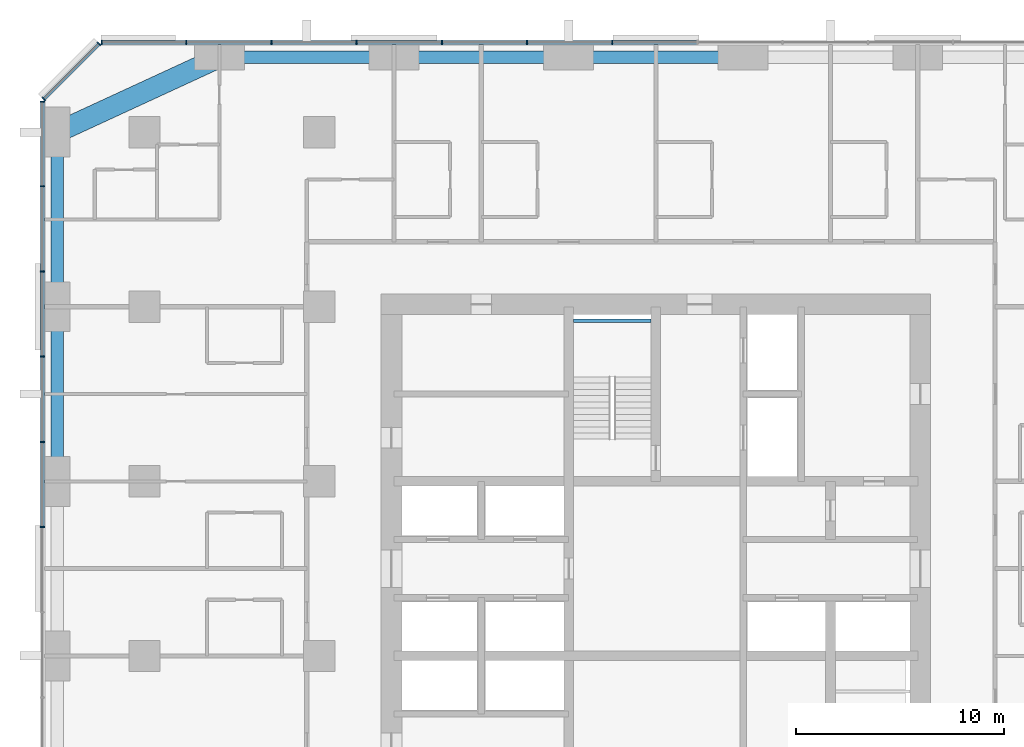
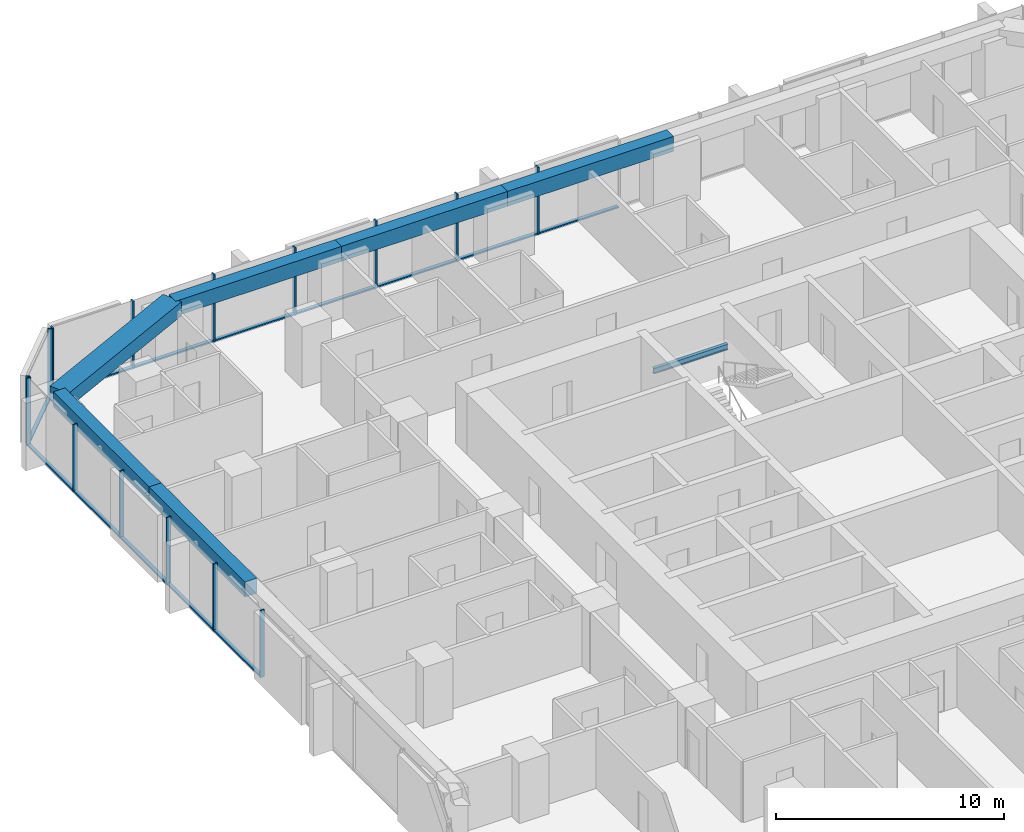
# One storey, part 5 of 14: 28 members, 7 beams, 3 elements without a shape of their own.
"""IFC4 building model written with IfcOpenShell, lengths in metres."""

from ifc_helpers import new_model, si_unit, direction, frame, origin, origin_2d, place, context, subcontext, project, spatial, rectangle, i_section, extrude, material, material_profile, profile_set, type_object, element, aggregate, save


model = new_model("IFC4")

# Units and contexts
model_context = context("Model", 3, precision=1e-05, world=origin(), true_north=direction((0.0, 1.0)))
body_context = subcontext(model_context, "Body", "Model", "MODEL_VIEW")
ifc_project = project(units=[si_unit("LENGTHUNIT", "METRE"), si_unit("AREAUNIT", "SQUARE_METRE"), si_unit("VOLUMEUNIT", "CUBIC_METRE"), si_unit("PLANEANGLEUNIT", "RADIAN"), si_unit("MASSUNIT", "GRAM", prefix="KILO")], contexts=[model_context])

# Site, building, storey
site_placement = place(None, origin())
site = spatial("IfcSite", under=ifc_project, at=site_placement, CompositionType="ELEMENT")
building_placement = place(site_placement, origin())
building = spatial("IfcBuilding", under=site, at=building_placement, Name="Dunama Terrace Hotel", CompositionType="ELEMENT")
storey_placement = place(building_placement, frame((0.0, 0.0, 140.39990234375)))
storey = spatial("IfcBuildingStorey", under=building, at=storey_placement, Name="L36", CompositionType="ELEMENT", Elevation=140.39990234375)

# Curtain wall, members
ifc_material_1 = material(Name="Aluminium curtain wall system", Category="aluminium")
curtain_wall_type = type_object("IfcCurtainWallType", Name="Unitised fritted glass wall CW-B", PredefinedType="NOTDEFINED", material=ifc_material_1)
curtain_wall_1_placement = place(storey_placement, origin())
curtain_wall_1 = element("IfcCurtainWall", 1, at=curtain_wall_1_placement, inside=storey, type_object=curtain_wall_type, Name="Unitised fritted glass wall CW-B L36", PredefinedType="NOTDEFINED")
ifc_material_2 = material(Name="Aluminium mullion", Category="aluminium")
ifc_material_profile_1 = material_profile(ifc_material_2, rectangle(XDim=0.06494140625, YDim=0.219970703125, at=origin_2d()), Name="CWB MULLION 65X220")
ifc_profile_set_1 = profile_set([ifc_material_profile_1], Name="Aluminium mullion")
member_type_1 = type_object("IfcMemberType", Name="CWB mullion 65x220", PredefinedType="MULLION", material=ifc_profile_set_1)
member_1_placement = place(storey_placement, frame((27.300048828125, 54.7099609375, 0.0), z_axis=(0.0, 0.0, 1.0), x_axis=(-1.0, 0.0, 0.0)))
member_1 = element("IfcMember", 2, at=member_1_placement, type_object=member_type_1, Name="CWB mullion", PredefinedType="MULLION", context=body_context, shape_type="SweptSolid", body=[
    extrude(rectangle(XDim=0.06494140625, YDim=0.219970703125, at=origin_2d()), origin(), (0.0, 0.0, 1.0), 3.60009765625),
])
member_2_placement = place(storey_placement, frame((23.199951171875, 54.7099609375, 0.0), z_axis=(0.0, 0.0, 1.0), x_axis=(-1.0, 0.0, 0.0)))
member_2 = element("IfcMember", 3, at=member_2_placement, type_object=member_type_1, Name="CWB mullion", PredefinedType="MULLION", context=body_context, shape_type="SweptSolid", body=[
    extrude(rectangle(XDim=0.06494140625, YDim=0.219970703125, at=origin_2d()), origin(), (0.0, 0.0, 1.0), 3.60009765625),
])
member_3_placement = place(storey_placement, frame((19.10009765625, 54.7099609375, 0.0), z_axis=(0.0, 0.0, 1.0), x_axis=(-1.0, 0.0, 0.0)))
member_3 = element("IfcMember", 4, at=member_3_placement, type_object=member_type_1, Name="CWB mullion", PredefinedType="MULLION", context=body_context, shape_type="SweptSolid", body=[
    extrude(rectangle(XDim=0.06494140625, YDim=0.219970703125, at=origin_2d()), origin(), (0.0, 0.0, 1.0), 3.60009765625),
])
member_4_placement = place(storey_placement, frame((15.0, 54.7099609375, 0.0), z_axis=(0.0, 0.0, 1.0), x_axis=(-1.0, 0.0, 0.0)))
member_4 = element("IfcMember", 5, at=member_4_placement, type_object=member_type_1, Name="CWB mullion", PredefinedType="MULLION", context=body_context, shape_type="SweptSolid", body=[
    extrude(rectangle(XDim=0.06494140625, YDim=0.219970703125, at=origin_2d()), origin(), (0.0, 0.0, 1.0), 3.60009765625),
])
member_5_placement = place(storey_placement, frame((10.89990234375, 54.7099609375, 0.0), z_axis=(0.0, 0.0, 1.0), x_axis=(-1.0, 0.0, 0.0)))
member_5 = element("IfcMember", 6, at=member_5_placement, type_object=member_type_1, Name="CWB mullion", PredefinedType="MULLION", context=body_context, shape_type="SweptSolid", body=[
    extrude(rectangle(XDim=0.06494140625, YDim=0.219970703125, at=origin_2d()), origin(), (0.0, 0.0, 1.0), 3.60009765625),
])
member_6_placement = place(storey_placement, frame((6.800048828125, 54.7099609375, 0.0), z_axis=(0.0, 0.0, 1.0), x_axis=(-1.0, 0.0, 0.0)))
member_6 = element("IfcMember", 7, at=member_6_placement, type_object=member_type_1, Name="CWB mullion", PredefinedType="MULLION", context=body_context, shape_type="SweptSolid", body=[
    extrude(rectangle(XDim=0.06494140625, YDim=0.219970703125, at=origin_2d()), origin(), (0.0, 0.0, 1.0), 3.60009765625),
])
member_7_placement = place(storey_placement, frame((2.73291015625, 54.7099609375, 0.0), z_axis=(0.0, 0.0, 1.0), x_axis=(-1.0, 0.0, 0.0)))
member_7 = element("IfcMember", 8, at=member_7_placement, type_object=member_type_1, Name="CWB mullion", PredefinedType="MULLION", context=body_context, shape_type="SweptSolid", body=[
    extrude(rectangle(XDim=0.06494140625, YDim=0.219970703125, at=origin_2d()), origin(), (0.0, 0.0, 1.0), 3.60009765625),
])

curtain_wall_2_placement = place(storey_placement, origin())
curtain_wall_2 = element("IfcCurtainWall", 9, at=curtain_wall_2_placement, inside=storey, type_object=curtain_wall_type, Name="Unitised fritted glass wall CW-B L36", PredefinedType="NOTDEFINED")
member_8_placement = place(storey_placement, frame((2.59912109375, 54.655029296875, 0.0), z_axis=(0.0, 0.0, 1.0), x_axis=(-0.707106781187, -0.707106781187, 0.0)))
member_8 = element("IfcMember", 10, at=member_8_placement, type_object=member_type_1, Name="CWB mullion", PredefinedType="MULLION", context=body_context, shape_type="SweptSolid", body=[
    extrude(rectangle(XDim=0.06494140625, YDim=0.219970703125, at=origin_2d()), origin(), (0.0, 0.0, 1.0), 3.60009765625),
])
member_9_placement = place(storey_placement, frame((-0.054931640625, 52.0009765625, 0.0), z_axis=(0.0, 0.0, 1.0), x_axis=(-0.707106781187, -0.707106781187, 0.0)))
member_9 = element("IfcMember", 11, at=member_9_placement, type_object=member_type_1, Name="CWB mullion", PredefinedType="MULLION", context=body_context, shape_type="SweptSolid", body=[
    extrude(rectangle(XDim=0.06494140625, YDim=0.219970703125, at=origin_2d()), origin(), (0.0, 0.0, 1.0), 3.60009765625),
])

curtain_wall_3_placement = place(storey_placement, origin())
curtain_wall_3 = element("IfcCurtainWall", 12, at=curtain_wall_3_placement, inside=storey, type_object=curtain_wall_type, Name="Unitised fritted glass wall CW-B L36", PredefinedType="NOTDEFINED")
member_10_placement = place(storey_placement, frame((-0.110107421875, 51.866943359375, 0.0), z_axis=(0.0, 0.0, 1.0), x_axis=(0.0, -1.0, 0.0)))
member_10 = element("IfcMember", 13, at=member_10_placement, type_object=member_type_1, Name="CWB mullion", PredefinedType="MULLION", context=body_context, shape_type="SweptSolid", body=[
    extrude(rectangle(XDim=0.06494140625, YDim=0.219970703125, at=origin_2d()), origin(), (0.0, 0.0, 1.0), 3.60009765625),
])
member_11_placement = place(storey_placement, frame((-0.110107421875, 47.800048828125, 0.0), z_axis=(0.0, 0.0, 1.0), x_axis=(0.0, -1.0, 0.0)))
member_11 = element("IfcMember", 14, at=member_11_placement, type_object=member_type_1, Name="CWB mullion", PredefinedType="MULLION", context=body_context, shape_type="SweptSolid", body=[
    extrude(rectangle(XDim=0.06494140625, YDim=0.219970703125, at=origin_2d()), origin(), (0.0, 0.0, 1.0), 3.60009765625),
])
member_12_placement = place(storey_placement, frame((-0.110107421875, 43.699951171875, 0.0), z_axis=(0.0, 0.0, 1.0), x_axis=(0.0, -1.0, 0.0)))
member_12 = element("IfcMember", 15, at=member_12_placement, type_object=member_type_1, Name="CWB mullion", PredefinedType="MULLION", context=body_context, shape_type="SweptSolid", body=[
    extrude(rectangle(XDim=0.06494140625, YDim=0.219970703125, at=origin_2d()), origin(), (0.0, 0.0, 1.0), 3.60009765625),
])
member_13_placement = place(storey_placement, frame((-0.110107421875, 39.60009765625, 0.0), z_axis=(0.0, 0.0, 1.0), x_axis=(0.0, -1.0, 0.0)))
member_13 = element("IfcMember", 16, at=member_13_placement, type_object=member_type_1, Name="CWB mullion", PredefinedType="MULLION", context=body_context, shape_type="SweptSolid", body=[
    extrude(rectangle(XDim=0.06494140625, YDim=0.219970703125, at=origin_2d()), origin(), (0.0, 0.0, 1.0), 3.60009765625),
])
member_14_placement = place(storey_placement, frame((-0.110107421875, 35.5, 0.0), z_axis=(0.0, 0.0, 1.0), x_axis=(0.0, -1.0, 0.0)))
member_14 = element("IfcMember", 17, at=member_14_placement, type_object=member_type_1, Name="CWB mullion", PredefinedType="MULLION", context=body_context, shape_type="SweptSolid", body=[
    extrude(rectangle(XDim=0.06494140625, YDim=0.219970703125, at=origin_2d()), origin(), (0.0, 0.0, 1.0), 3.60009765625),
])
member_15_placement = place(storey_placement, frame((-0.110107421875, 31.39990234375, 0.0), z_axis=(0.0, 0.0, 1.0), x_axis=(0.0, -1.0, 0.0)))
member_15 = element("IfcMember", 18, at=member_15_placement, type_object=member_type_1, Name="CWB mullion", PredefinedType="MULLION", context=body_context, shape_type="SweptSolid", body=[
    extrude(rectangle(XDim=0.06494140625, YDim=0.219970703125, at=origin_2d()), origin(), (0.0, 0.0, 1.0), 3.60009765625),
])

# Member
ifc_material_3 = material(Name="Aluminium transom", Category="aluminium")
ifc_material_profile_2 = material_profile(ifc_material_3, rectangle(XDim=0.179931640625, YDim=0.080078125, at=origin_2d()), Name="CWB TRANSOM 180X80")
ifc_profile_set_2 = profile_set([ifc_material_profile_2], Name="Aluminium transom")
member_type_2 = type_object("IfcMemberType", Name="CWB transom 180x80", PredefinedType="USERDEFINED", material=ifc_profile_set_2)
member_16_placement = place(storey_placement, frame((31.366943359375, 54.7099609375, 0.0400390625), z_axis=(-1.0, 0.0, 0.0), x_axis=(0.0, -1.0, 0.0)))
member_16 = element("IfcMember", 19, at=member_16_placement, type_object=member_type_2, Name="CWB transom", ObjectType="TRANSOM", PredefinedType="USERDEFINED", context=body_context, shape_type="SweptSolid", body=[
    extrude(rectangle(XDim=0.179931640625, YDim=0.080078125, at=origin_2d()), origin(), (0.0, 0.0, 1.0), 4.034912109375),
])

member_17_placement = place(storey_placement, frame((27.26806640625, 54.7099609375, 0.0400390625), z_axis=(-1.0, 0.0, 0.0), x_axis=(0.0, -1.0, 0.0)))
member_17 = element("IfcMember", 20, at=member_17_placement, type_object=member_type_2, Name="CWB transom", ObjectType="TRANSOM", PredefinedType="USERDEFINED", context=body_context, shape_type="SweptSolid", body=[
    extrude(rectangle(XDim=0.179931640625, YDim=0.080078125, at=origin_2d()), origin(), (0.0, 0.0, 1.0), 4.03515625),
])

member_18_placement = place(storey_placement, frame((23.16796875, 54.7099609375, 0.0400390625), z_axis=(-1.0, 0.0, 0.0), x_axis=(0.0, -1.0, 0.0)))
member_18 = element("IfcMember", 21, at=member_18_placement, type_object=member_type_2, Name="CWB transom", ObjectType="TRANSOM", PredefinedType="USERDEFINED", context=body_context, shape_type="SweptSolid", body=[
    extrude(rectangle(XDim=0.179931640625, YDim=0.080078125, at=origin_2d()), origin(), (0.0, 0.0, 1.0), 4.034912109375),
])

member_19_placement = place(storey_placement, frame((19.068115234375, 54.7099609375, 0.0400390625), z_axis=(-1.0, 0.0, 0.0), x_axis=(0.0, -1.0, 0.0)))
member_19 = element("IfcMember", 22, at=member_19_placement, type_object=member_type_2, Name="CWB transom", ObjectType="TRANSOM", PredefinedType="USERDEFINED", context=body_context, shape_type="SweptSolid", body=[
    extrude(rectangle(XDim=0.179931640625, YDim=0.080078125, at=origin_2d()), origin(), (0.0, 0.0, 1.0), 4.0361328125),
])

member_20_placement = place(storey_placement, frame((14.968017578125, 54.7099609375, 0.0400390625), z_axis=(-1.0, 0.0, 0.0), x_axis=(0.0, -1.0, 0.0)))
member_20 = element("IfcMember", 23, at=member_20_placement, type_object=member_type_2, Name="CWB transom", ObjectType="TRANSOM", PredefinedType="USERDEFINED", context=body_context, shape_type="SweptSolid", body=[
    extrude(rectangle(XDim=0.179931640625, YDim=0.080078125, at=origin_2d()), origin(), (0.0, 0.0, 1.0), 4.0361328125),
])

member_21_placement = place(storey_placement, frame((10.866943359375, 54.7099609375, 0.0400390625), z_axis=(-1.0, 0.0, 0.0), x_axis=(0.0, -1.0, 0.0)))
member_21 = element("IfcMember", 24, at=member_21_placement, type_object=member_type_2, Name="CWB transom", ObjectType="TRANSOM", PredefinedType="USERDEFINED", context=body_context, shape_type="SweptSolid", body=[
    extrude(rectangle(XDim=0.179931640625, YDim=0.080078125, at=origin_2d()), origin(), (0.0, 0.0, 1.0), 4.033935546875),
])

member_22_placement = place(storey_placement, frame((6.76806640625, 54.7099609375, 0.0400390625), z_axis=(-1.0, 0.0, 0.0), x_axis=(0.0, -1.0, 0.0)))
member_22 = element("IfcMember", 25, at=member_22_placement, type_object=member_type_2, Name="CWB transom", ObjectType="TRANSOM", PredefinedType="USERDEFINED", context=body_context, shape_type="SweptSolid", body=[
    extrude(rectangle(XDim=0.179931640625, YDim=0.080078125, at=origin_2d()), origin(), (0.0, 0.0, 1.0), 4.003173828125),
])

aggregate(curtain_wall_1, [member_1, member_2, member_3, member_4, member_5, member_6, member_7, member_16, member_17, member_18, member_19, member_20, member_21, member_22])

member_23_placement = place(storey_placement, frame((2.575927734375, 54.632080078125, 0.0400390625), z_axis=(-0.707073683909, -0.707139876915, 0.0), x_axis=(0.707139876915, -0.707073683909, 0.0)))
member_23 = element("IfcMember", 26, at=member_23_placement, type_object=member_type_2, Name="CWB transom", ObjectType="TRANSOM", PredefinedType="USERDEFINED", context=body_context, shape_type="SweptSolid", body=[
    extrude(rectangle(XDim=0.179931640625, YDim=0.080078125, at=origin_2d()), origin(), (0.0, 0.0, 1.0), 3.688232421875),
])

aggregate(curtain_wall_2, [member_8, member_9, member_23])

member_24_placement = place(storey_placement, frame((-0.110107421875, 51.8349609375, 0.0400390625), z_axis=(0.0, -1.0, 0.0), x_axis=(1.0, 0.0, 0.0)))
member_24 = element("IfcMember", 27, at=member_24_placement, type_object=member_type_2, Name="CWB transom", ObjectType="TRANSOM", PredefinedType="USERDEFINED", context=body_context, shape_type="SweptSolid", body=[
    extrude(rectangle(XDim=0.179931640625, YDim=0.080078125, at=origin_2d()), origin(), (0.0, 0.0, 1.0), 4.0029296875),
])

member_25_placement = place(storey_placement, frame((-0.110107421875, 47.76708984375, 0.0400390625), z_axis=(0.0, -1.0, 0.0), x_axis=(1.0, 0.0, 0.0)))
member_25 = element("IfcMember", 28, at=member_25_placement, type_object=member_type_2, Name="CWB transom", ObjectType="TRANSOM", PredefinedType="USERDEFINED", context=body_context, shape_type="SweptSolid", body=[
    extrude(rectangle(XDim=0.179931640625, YDim=0.080078125, at=origin_2d()), origin(), (0.0, 0.0, 1.0), 4.0341796875),
])

member_26_placement = place(storey_placement, frame((-0.110107421875, 43.6669921875, 0.0400390625), z_axis=(0.0, -1.0, 0.0), x_axis=(1.0, 0.0, 0.0)))
member_26 = element("IfcMember", 29, at=member_26_placement, type_object=member_type_2, Name="CWB transom", ObjectType="TRANSOM", PredefinedType="USERDEFINED", context=body_context, shape_type="SweptSolid", body=[
    extrude(rectangle(XDim=0.179931640625, YDim=0.080078125, at=origin_2d()), origin(), (0.0, 0.0, 1.0), 4.033935546875),
])

member_27_placement = place(storey_placement, frame((-0.110107421875, 39.56689453125, 0.0400390625), z_axis=(0.0, -1.0, 0.0), x_axis=(1.0, 0.0, 0.0)))
member_27 = element("IfcMember", 30, at=member_27_placement, type_object=member_type_2, Name="CWB transom", ObjectType="TRANSOM", PredefinedType="USERDEFINED", context=body_context, shape_type="SweptSolid", body=[
    extrude(rectangle(XDim=0.179931640625, YDim=0.080078125, at=origin_2d()), origin(), (0.0, 0.0, 1.0), 4.034912109375),
])

member_28_placement = place(storey_placement, frame((-0.110107421875, 35.468017578125, 0.0400390625), z_axis=(0.0, -1.0, 0.0), x_axis=(1.0, 0.0, 0.0)))
member_28 = element("IfcMember", 31, at=member_28_placement, type_object=member_type_2, Name="CWB transom", ObjectType="TRANSOM", PredefinedType="USERDEFINED", context=body_context, shape_type="SweptSolid", body=[
    extrude(rectangle(XDim=0.179931640625, YDim=0.080078125, at=origin_2d()), origin(), (0.0, 0.0, 1.0), 4.0361328125),
])

aggregate(curtain_wall_3, [member_10, member_11, member_12, member_13, member_14, member_15, member_24, member_25, member_26, member_27, member_28])

# Beams
ifc_material_4 = material(Name="Concrete C50/60", Category="concrete")
ifc_material_profile_3 = material_profile(ifc_material_4, rectangle(XDim=1.0, YDim=0.75, at=origin_2d()), Name="RC 1000x750")
ifc_profile_set_3 = profile_set([ifc_material_profile_3], Name="Concrete C50/60")
beam_type_1 = type_object("IfcBeamType", Name="Edge beam RC 1000x750", PredefinedType="SPANDREL", material=ifc_profile_set_3)
beam_1_placement = place(storey_placement, frame((8.39990234375, 54.0, 3.22509765625), z_axis=(-0.907951066374, -0.419076199598, 0.0), x_axis=(0.419076199598, -0.907951066374, 0.0)))
element("IfcBeam", 32, at=beam_1_placement, inside=storey, type_object=beam_type_1, Name="Corner edge beam under L37", PredefinedType="SPANDREL", context=body_context, shape_type="SweptSolid", body=[
    extrude(rectangle(XDim=1.0, YDim=0.75, at=origin_2d()), origin(), (0.0, 0.0, 1.0), 8.590576171875),
])
ifc_material_5 = material(Name="Concrete C40/50", Category="concrete")
ifc_material_profile_4 = material_profile(ifc_material_5, rectangle(XDim=0.60009765625, YDim=0.800048828125, at=origin_2d()), Name="RC 600x800")
ifc_profile_set_4 = profile_set([ifc_material_profile_4], Name="Concrete C40/50")
beam_type_2 = type_object("IfcBeamType", Name="Edge beam RC 600x800", PredefinedType="SPANDREL", material=ifc_profile_set_4)
for number, where, z_axis, x_axis, name in (
    (33, (0.60009765625, 33.60009765625, 3.2001953125), (0.0, 1.0, 0.0), (-1.0, 0.0, 0.0), "Edge beam under L37"),
    (34, (0.60009765625, 42.0, 3.2001953125), (0.0, 1.0, 0.0), (-1.0, 0.0, 0.0), "Edge beam under L37"),
):
    element("IfcBeam", number, at=place(storey_placement, frame(where, z_axis=z_axis, x_axis=x_axis)), inside=storey, type_object=beam_type_2, Name=name, PredefinedType="SPANDREL", context=body_context, shape_type="SweptSolid", body=[
        extrude(rectangle(XDim=0.60009765625, YDim=0.800048828125, at=origin_2d()), origin(), (0.0, 0.0, 1.0), 8.39990234375),
    ])
beam_2_placement = place(storey_placement, frame((8.39990234375, 54.0, 3.2001953125), z_axis=(1.0, 0.0, 0.0), x_axis=(0.0, 1.0, 0.0)))
element("IfcBeam", 35, at=beam_2_placement, inside=storey, type_object=beam_type_2, Name="Edge beam under L37", PredefinedType="SPANDREL", context=body_context, shape_type="SweptSolid", body=[
    extrude(rectangle(XDim=0.60009765625, YDim=0.800048828125, at=origin_2d()), origin(), (0.0, 0.0, 1.0), 8.400146484375),
])
beam_3_placement = place(storey_placement, frame((16.800048828125, 54.0, 3.2001953125), z_axis=(1.0, 0.0, 0.0), x_axis=(0.0, 1.0, 0.0)))
element("IfcBeam", 36, at=beam_3_placement, inside=storey, type_object=beam_type_2, Name="Edge beam under L37", PredefinedType="SPANDREL", context=body_context, shape_type="SweptSolid", body=[
    extrude(rectangle(XDim=0.60009765625, YDim=0.800048828125, at=origin_2d()), origin(), (0.0, 0.0, 1.0), 8.39990234375),
])
beam_4_placement = place(storey_placement, frame((25.199951171875, 54.0, 3.2001953125), z_axis=(1.0, 0.0, 0.0), x_axis=(0.0, 1.0, 0.0)))
element("IfcBeam", 37, at=beam_4_placement, inside=storey, type_object=beam_type_2, Name="Edge beam under L37", PredefinedType="SPANDREL", context=body_context, shape_type="SweptSolid", body=[
    extrude(rectangle(XDim=0.60009765625, YDim=0.800048828125, at=origin_2d()), origin(), (0.0, 0.0, 1.0), 8.400146484375),
])
ifc_material_6 = material(Name="Steel S355", Category="steel")
ifc_material_profile_5 = material_profile(ifc_material_6, i_section(OverallWidth=0.1650390625, OverallDepth=0.303466796875, WebThickness=0.006103515625, FlangeThickness=0.01025390625, FilletRadius=0.0087890625, at=origin_2d()), Name="UB 305x165x40")
ifc_profile_set_5 = profile_set([ifc_material_profile_5], Name="Steel S355")
beam_type_3 = type_object("IfcBeamType", Name="Stair beam UB 305x165x40", PredefinedType="BEAM", material=ifc_profile_set_5)
beam_5_placement = place(storey_placement, frame((25.425048828125, 41.3173828125, 1.448486328125), z_axis=(1.0, 0.0, 0.0), x_axis=(0.0, 1.0, 0.0)))
element("IfcBeam", 38, at=beam_5_placement, inside=storey, type_object=beam_type_3, Name="Stair landing beam ST1 L36", PredefinedType="BEAM", context=body_context, shape_type="SweptSolid", body=[
    extrude(i_section(OverallWidth=0.1650390625, OverallDepth=0.303466796875, WebThickness=0.006103515625, FlangeThickness=0.01025390625, FilletRadius=0.0087890625, at=origin_2d()), origin(), (0.0, 0.0, 1.0), 3.75),
])

save(model, "model.ifc")
